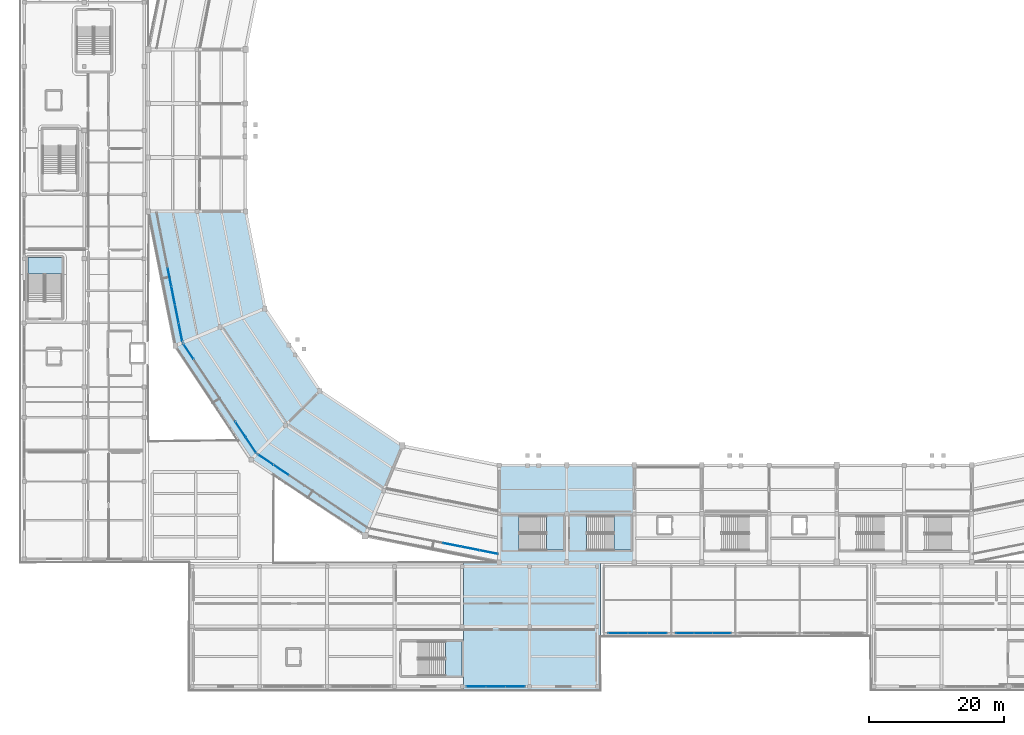
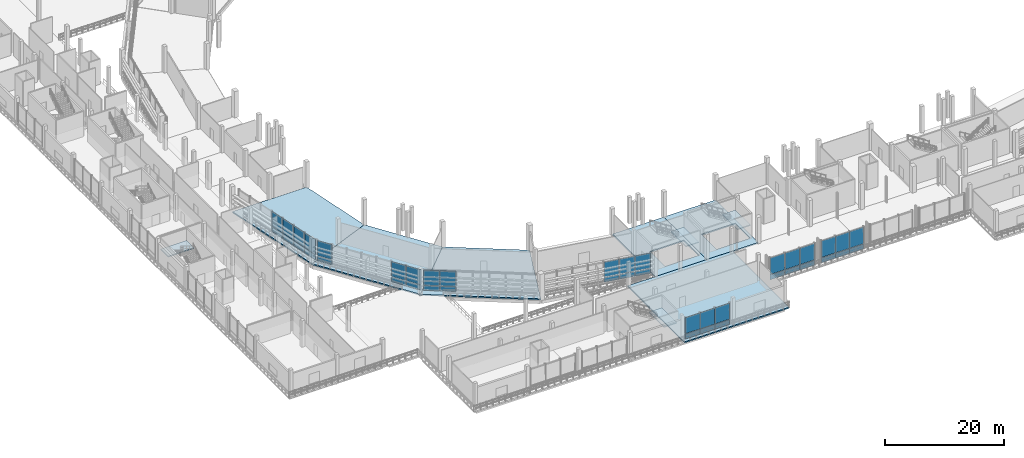
# One storey, part 60 of 111: 42 plates, 10 slabs, 11 elements without a shape of their own.
"""IFC4 building model written with IfcOpenShell, lengths in metres."""

from ifc_helpers import new_model, si_unit, direction, frame, origin, origin_2d, place, context, subcontext, project, spatial, polyline, rectangle, outline, extrude, material, layer, layer_set, type_object, element, aggregate, save


model = new_model("IFC4")

# Units and contexts
model_context = context("Model", 3, precision=1e-05, world=origin(), true_north=direction((0.0, 1.0)))
body_context = subcontext(model_context, "Body", "Model", "MODEL_VIEW")
ifc_project = project(units=[si_unit("LENGTHUNIT", "METRE"), si_unit("AREAUNIT", "SQUARE_METRE"), si_unit("VOLUMEUNIT", "CUBIC_METRE"), si_unit("PLANEANGLEUNIT", "RADIAN"), si_unit("MASSUNIT", "GRAM", prefix="KILO")], contexts=[model_context])

# Site, building, storey
site_placement = place(None, origin())
site = spatial("IfcSite", under=ifc_project, at=site_placement, CompositionType="ELEMENT")
building_placement = place(site_placement, origin())
building = spatial("IfcBuilding", under=site, at=building_placement, Name="Candeia Ridge Stadium", CompositionType="ELEMENT")
storey_placement = place(building_placement, frame((0.0, 0.0, 16.199951171875)))
storey = spatial("IfcBuildingStorey", under=building, at=storey_placement, Name="L03", CompositionType="ELEMENT", Elevation=16.199951171875)

# Stair, slab
ifc_material_1 = material(Name="Concrete C40/50", Category="concrete")
stair_type = type_object("IfcStairType", Name="Enclosed Core Half-Turn Stair 2450", PredefinedType="HALF_TURN_STAIR", material=ifc_material_1)
stair_1_placement = place(storey_placement, origin())
stair_1 = element("IfcStair", 1, at=stair_1_placement, inside=storey, type_object=stair_type, Name="L03 Enclosed exit stair ST02", PredefinedType="HALF_TURN_STAIR")
ifc_layer_1 = layer(ifc_material_1, 0.199951171875, Name="Concrete C40/50", Category="concrete")
ifc_layer_set_1 = layer_set([ifc_layer_1], Name="Concrete C40/50")
slab_type_1 = type_object("IfcSlabType", Name="Core Stair Landing Slab 200", PredefinedType="LANDING", material=ifc_layer_set_1)
slab_1_placement = place(storey_placement, frame((0.0, 0.0, 2.5)))
slab_1 = element("IfcSlab", 2, at=slab_1_placement, type_object=slab_type_1, Name="ST02 landing 1", PredefinedType="LANDING", context=body_context, shape_type="SweptSolid", body=[
    extrude(outline(polyline([(78.010009765625, 20.800048828125), (80.5, 20.800048828125), (80.5, 25.85009765625), (78.010009765625, 25.85009765625), (78.010009765625, 20.800048828125)])), origin(), (0.0, 0.0, 1.0), 0.199951171875),
])
aggregate(stair_1, [slab_1])

stair_2_placement = place(storey_placement, origin())
stair_2 = element("IfcStair", 3, at=stair_2_placement, inside=storey, type_object=stair_type, Name="L03 Enclosed exit stair ST05", PredefinedType="HALF_TURN_STAIR")
slab_2_placement = place(storey_placement, frame((0.0, 0.0, 2.5)))
slab_2 = element("IfcSlab", 4, at=slab_2_placement, type_object=slab_type_1, Name="ST05 landing 1", PredefinedType="LANDING", context=body_context, shape_type="SweptSolid", body=[
    extrude(outline(polyline([(6.199951171875, 61.7099609375), (6.199951171875, 64.199951171875), (1.14990234375, 64.199951171875), (1.14990234375, 61.7099609375), (6.199951171875, 61.7099609375)])), origin(), (0.0, 0.0, 1.0), 0.199951171875),
])
aggregate(stair_2, [slab_2])

stair_3_placement = place(storey_placement, origin())
stair_3 = element("IfcStair", 5, at=stair_3_placement, inside=storey, type_object=stair_type, Name="L03 Enclosed exit stair ST11", PredefinedType="HALF_TURN_STAIR")
slab_3_placement = place(storey_placement, frame((0.0, 0.0, 2.5)))
slab_3 = element("IfcSlab", 6, at=slab_3_placement, type_object=slab_type_1, Name="ST11 landing 1", PredefinedType="LANDING", context=body_context, shape_type="SweptSolid", body=[
    extrude(outline(polyline([(88.010009765625, 20.800048828125), (90.5, 20.800048828125), (90.5, 25.85009765625), (88.010009765625, 25.85009765625), (88.010009765625, 20.800048828125)])), origin(), (0.0, 0.0, 1.0), 0.199951171875),
])
aggregate(stair_3, [slab_3])

stair_4_placement = place(storey_placement, origin())
stair_4 = element("IfcStair", 7, at=stair_4_placement, inside=storey, type_object=stair_type, Name="L03 Enclosed exit stair ST13", PredefinedType="HALF_TURN_STAIR")
slab_4_placement = place(storey_placement, frame((0.0, 0.0, 2.5)))
slab_4 = element("IfcSlab", 8, at=slab_4_placement, type_object=slab_type_1, Name="ST13 landing 1", PredefinedType="LANDING", context=body_context, shape_type="SweptSolid", body=[
    extrude(outline(polyline([(63.010009765625, 2.199951171875), (65.5, 2.199951171875), (65.5, 7.25), (63.010009765625, 7.25), (63.010009765625, 2.199951171875)])), origin(), (0.0, 0.0, 1.0), 0.199951171875),
])
aggregate(stair_4, [slab_4])

# Curtain wall, plates
ifc_material_2 = material(Name="Aluminium Anodized Warm Bronze", Category="aluminium")
curtain_wall_type_1 = type_object("IfcCurtainWallType", Name="Cardinal Entrance Gate Tall Glazed Curtain Wall", PredefinedType="NOTDEFINED", material=ifc_material_2)
curtain_wall_1_placement = place(storey_placement, origin())
curtain_wall_1 = element("IfcCurtainWall", 9, at=curtain_wall_1_placement, inside=storey, type_object=curtain_wall_type_1, Name="Unitised curtain wall CW-WNG-L03-137", PredefinedType="NOTDEFINED")
ifc_material_3 = material(Name="Laminated Acoustic Glazing", Category="glass")
ifc_layer_2 = layer(ifc_material_3, 0.035888671875, Name="Laminated Acoustic Glazing", Category="glass")
ifc_layer_set_2 = layer_set([ifc_layer_2], Name="Laminated Acoustic Glazing")
plate_type_1 = type_object("IfcPlateType", Name="Gate Tall Laminated Glass Panel GP3", PredefinedType="CURTAIN_PANEL", material=ifc_layer_set_2)
plate_1_placement = place(storey_placement, frame((88.606689453125, 8.5, 1.139892578125), z_axis=(0.0, 0.0, 1.0), x_axis=(1.0, 0.0, 0.0)))
plate_1 = element("IfcPlate", 10, at=plate_1_placement, type_object=plate_type_1, Name="Curtain wall vision glass panel CW-WNG-L03-137-GP0", PredefinedType="CURTAIN_PANEL", context=body_context, shape_type="SweptSolid", body=[
    extrude(rectangle(XDim=2.8232421875, YDim=0.035888671875, at=origin_2d()), origin(), (0.0, 0.0, 1.0), 3.39208984375),
])
plate_2_placement = place(storey_placement, frame((91.5, 8.5, 1.139892578125), z_axis=(0.0, 0.0, 1.0), x_axis=(1.0, 0.0, 0.0)))
plate_2 = element("IfcPlate", 11, at=plate_2_placement, type_object=plate_type_1, Name="Curtain wall vision glass panel CW-WNG-L03-137-GP1", PredefinedType="CURTAIN_PANEL", context=body_context, shape_type="SweptSolid", body=[
    extrude(rectangle(XDim=2.8232421875, YDim=0.035888671875, at=origin_2d()), origin(), (0.0, 0.0, 1.0), 3.39208984375),
])
plate_3_placement = place(storey_placement, frame((94.393310546875, 8.5, 1.139892578125), z_axis=(0.0, 0.0, 1.0), x_axis=(1.0, 0.0, 0.0)))
plate_3 = element("IfcPlate", 12, at=plate_3_placement, type_object=plate_type_1, Name="Curtain wall vision glass panel CW-WNG-L03-137-GP2", PredefinedType="CURTAIN_PANEL", context=body_context, shape_type="SweptSolid", body=[
    extrude(rectangle(XDim=2.8232421875, YDim=0.035888671875, at=origin_2d()), origin(), (0.0, 0.0, 1.0), 3.39208984375),
])

curtain_wall_2_placement = place(storey_placement, origin())
curtain_wall_2 = element("IfcCurtainWall", 13, at=curtain_wall_2_placement, inside=storey, type_object=curtain_wall_type_1, Name="Unitised curtain wall CW-WNG-L03-138", PredefinedType="NOTDEFINED")
plate_4_placement = place(storey_placement, frame((98.523193359375, 8.5, 1.14013671875), z_axis=(0.0, 0.0, 1.0), x_axis=(1.0, 0.0, 0.0)))
plate_4 = element("IfcPlate", 14, at=plate_4_placement, type_object=plate_type_1, Name="Curtain wall vision glass panel CW-WNG-L03-138-GP0", PredefinedType="CURTAIN_PANEL", context=body_context, shape_type="SweptSolid", body=[
    extrude(rectangle(XDim=2.65673828125, YDim=0.035888671875, at=origin_2d()), origin(), (0.0, 0.0, 1.0), 3.402099609375),
])
plate_5_placement = place(storey_placement, frame((101.25, 8.5, 1.14013671875), z_axis=(0.0, 0.0, 1.0), x_axis=(1.0, 0.0, 0.0)))
plate_5 = element("IfcPlate", 15, at=plate_5_placement, type_object=plate_type_1, Name="Curtain wall vision glass panel CW-WNG-L03-138-GP1", PredefinedType="CURTAIN_PANEL", context=body_context, shape_type="SweptSolid", body=[
    extrude(rectangle(XDim=2.65673828125, YDim=0.035888671875, at=origin_2d()), origin(), (0.0, 0.0, 1.0), 3.402099609375),
])
plate_6_placement = place(storey_placement, frame((103.976806640625, 8.5, 1.14013671875), z_axis=(0.0, 0.0, 1.0), x_axis=(1.0, 0.0, 0.0)))
plate_6 = element("IfcPlate", 16, at=plate_6_placement, type_object=plate_type_1, Name="Curtain wall vision glass panel CW-WNG-L03-138-GP2", PredefinedType="CURTAIN_PANEL", context=body_context, shape_type="SweptSolid", body=[
    extrude(rectangle(XDim=2.65673828125, YDim=0.035888671875, at=origin_2d()), origin(), (0.0, 0.0, 1.0), 3.402099609375),
])

# Slabs
ifc_layer_3 = layer(ifc_material_1, 0.25, Name="Concrete C40/50", Category="concrete")
ifc_layer_set_3 = layer_set([ifc_layer_3], Name="Concrete C40/50")
slab_type_2 = type_object("IfcSlabType", Name="Hospitality & Museum Slab 250", PredefinedType="FLOOR", material=ifc_layer_set_3)
slab_5_placement = place(storey_placement, frame((0.0, 0.0, -0.25)))
element("IfcSlab", 17, at=slab_5_placement, inside=storey, type_object=slab_type_2, Name="Bowl concourse sector slab L03 bay 15 SLB-L03-0123", PredefinedType="FLOOR", context=body_context, shape_type="SweptSolid", body=[
    extrude(outline(polyline([(36.26220703125, 56.611083984375), (22.958251953125, 51.1005859375), (19.0, 71.0), (33.39990234375, 71.0), (36.26220703125, 56.611083984375)])), origin(), (0.0, 0.0, 1.0), 0.25),
])
slab_6_placement = place(storey_placement, frame((0.0, 0.0, -0.25)))
element("IfcSlab", 18, at=slab_6_placement, inside=storey, type_object=slab_type_2, Name="Bowl concourse sector slab L03 bay 16 SLB-L03-0124", PredefinedType="FLOOR", context=body_context, shape_type="SweptSolid", body=[
    extrude(outline(polyline([(44.412841796875, 44.412841796875), (34.23046875, 34.23046875), (22.958251953125, 51.1005859375), (36.26220703125, 56.611083984375), (44.412841796875, 44.412841796875)])), origin(), (0.0, 0.0, 1.0), 0.25),
])
slab_7_placement = place(storey_placement, frame((0.0, 0.0, -0.25)))
element("IfcSlab", 19, at=slab_7_placement, inside=storey, type_object=slab_type_2, Name="Bowl concourse sector slab L03 bay 17 SLB-L03-0125", PredefinedType="FLOOR", context=body_context, shape_type="SweptSolid", body=[
    extrude(outline(polyline([(56.611083984375, 36.26220703125), (51.1005859375, 22.958251953125), (34.23046875, 34.23046875), (44.412841796875, 44.412841796875), (56.611083984375, 36.26220703125)])), origin(), (0.0, 0.0, 1.0), 0.25),
])
slab_8_placement = place(storey_placement, frame((0.0, 0.0, -0.25)))
element("IfcSlab", 20, at=slab_8_placement, inside=storey, type_object=slab_type_2, Name="Bowl concourse sector slab L03 bay 19 SLB-L03-0127", PredefinedType="FLOOR", context=body_context, shape_type="SweptSolid", body=[
    extrude(outline(polyline([(81.0, 33.39990234375), (81.0, 19.0), (71.0400390625, 19.0), (71.0400390625, 33.39990234375), (81.0, 33.39990234375)]), holes=[polyline([(73.95068359375, 20.800048828125), (80.5, 20.800048828125), (80.5, 25.85009765625), (73.95068359375, 25.85009765625), (73.95068359375, 20.800048828125)])]), origin(), (0.0, 0.0, 1.0), 0.25),
])
slab_9_placement = place(storey_placement, frame((0.0, 0.0, -0.25)))
element("IfcSlab", 21, at=slab_9_placement, inside=storey, type_object=slab_type_2, Name="Bowl concourse sector slab L03 bay 20 SLB-L03-0128", PredefinedType="FLOOR", context=body_context, shape_type="SweptSolid", body=[
    extrude(outline(polyline([(91.0, 33.39990234375), (91.0, 19.0), (81.0, 19.0), (81.0, 33.39990234375), (91.0, 33.39990234375)]), holes=[polyline([(83.95068359375, 20.800048828125), (90.5, 20.800048828125), (90.5, 25.85009765625), (83.95068359375, 25.85009765625), (83.95068359375, 20.800048828125)])]), origin(), (0.0, 0.0, 1.0), 0.25),
])
slab_10_placement = place(storey_placement, frame((0.0, 0.0, -0.25)))
element("IfcSlab", 22, at=slab_10_placement, inside=storey, type_object=slab_type_2, Name="Wing floor slab sw_s SLB-L03-0284", PredefinedType="FLOOR", context=body_context, shape_type="SweptSolid", body=[
    extrude(outline(polyline([(65.666748046875, 0.0), (65.666748046875, 19.0), (86.0, 19.0), (86.0, 0.0), (65.666748046875, 0.0)])), origin(), (0.0, 0.0, 1.0), 0.25),
])

# Curtain wall, plates
curtain_wall_type_2 = type_object("IfcCurtainWallType", Name="Concourse Recessed Unitised Curtain Wall", PredefinedType="NOTDEFINED", material=ifc_material_2)
curtain_wall_3_placement = place(storey_placement, origin())
curtain_wall_3 = element("IfcCurtainWall", 23, at=curtain_wall_3_placement, inside=storey, type_object=curtain_wall_type_2, Name="Unitised curtain wall CW-BWL-L03-17", PredefinedType="NOTDEFINED")
ifc_material_4 = material(Name="Aluminium Insulated Spandrel", Category="aluminium")
ifc_layer_4 = layer(ifc_material_4, 0.06494140625, Name="Aluminium Insulated Spandrel", Category="aluminium")
ifc_layer_set_4 = layer_set([ifc_layer_4], Name="Aluminium Insulated Spandrel")
plate_type_2 = type_object("IfcPlateType", Name="Insulated Bronze Spandrel Panel SP1", PredefinedType="CURTAIN_PANEL", material=ifc_layer_set_4)
plate_7_placement = place(storey_placement, frame((64.006591796875, 21.591064453125, 0.0400390625), z_axis=(0.0, 0.0, 1.0), x_axis=(0.980785280696, -0.195090320544, 0.0)))
plate_7 = element("IfcPlate", 24, at=plate_7_placement, type_object=plate_type_2, Name="Curtain wall spandrel panel CW-BWL-L03-17-SP4", PredefinedType="CURTAIN_PANEL", context=body_context, shape_type="SweptSolid", body=[
    extrude(rectangle(XDim=2.710205078125, YDim=0.06494140625, at=origin_2d()), origin(), (0.0, 0.0, 1.0), 0.97119140625),
])
plate_8_placement = place(storey_placement, frame((66.7333984375, 21.048583984375, 0.0400390625), z_axis=(0.0, 0.0, 1.0), x_axis=(0.980785280696, -0.195090320544, 0.0)))
plate_8 = element("IfcPlate", 25, at=plate_8_placement, type_object=plate_type_2, Name="Curtain wall spandrel panel CW-BWL-L03-17-SP5", PredefinedType="CURTAIN_PANEL", context=body_context, shape_type="SweptSolid", body=[
    extrude(rectangle(XDim=2.710205078125, YDim=0.06494140625, at=origin_2d()), origin(), (0.0, 0.0, 1.0), 0.97119140625),
])
plate_9_placement = place(storey_placement, frame((69.460205078125, 20.50634765625, 0.0400390625), z_axis=(0.0, 0.0, 1.0), x_axis=(0.980785280696, -0.195090320544, 0.0)))
plate_9 = element("IfcPlate", 26, at=plate_9_placement, type_object=plate_type_2, Name="Curtain wall spandrel panel CW-BWL-L03-17-SP6", PredefinedType="CURTAIN_PANEL", context=body_context, shape_type="SweptSolid", body=[
    extrude(rectangle(XDim=2.710205078125, YDim=0.06494140625, at=origin_2d()), origin(), (0.0, 0.0, 1.0), 0.97119140625),
])

curtain_wall_4_placement = place(storey_placement, origin())
curtain_wall_4 = element("IfcCurtainWall", 27, at=curtain_wall_4_placement, inside=storey, type_object=curtain_wall_type_2, Name="Unitised curtain wall CW-BWL-L03-14", PredefinedType="NOTDEFINED")
ifc_layer_5 = layer(ifc_material_4, 0.06494140625, Name="Aluminium Insulated Spandrel", Category="aluminium")
ifc_layer_set_5 = layer_set([ifc_layer_5], Name="Aluminium Insulated Spandrel")
plate_type_3 = type_object("IfcPlateType", Name="Insulated Bronze Spandrel Panel SP2", PredefinedType="CURTAIN_PANEL", material=ifc_layer_set_5)
plate_10_placement = place(storey_placement, frame((22.13330078125, 61.27978515625, 0.0400390625), z_axis=(0.0, 0.0, 1.0), x_axis=(0.195090320544, -0.980785280696, 0.0)))
plate_10 = element("IfcPlate", 28, at=plate_10_placement, type_object=plate_type_3, Name="Curtain wall spandrel panel CW-BWL-L03-14-SP3", PredefinedType="CURTAIN_PANEL", context=body_context, shape_type="SweptSolid", body=[
    extrude(rectangle(XDim=2.710205078125, YDim=0.06494140625, at=origin_2d()), origin(), (0.0, 0.0, 1.0), 0.97119140625),
])
plate_11_placement = place(storey_placement, frame((22.67578125, 58.552978515625, 0.0400390625), z_axis=(0.0, 0.0, 1.0), x_axis=(0.195090320544, -0.980785280696, 0.0)))
plate_11 = element("IfcPlate", 29, at=plate_11_placement, type_object=plate_type_3, Name="Curtain wall spandrel panel CW-BWL-L03-14-SP4", PredefinedType="CURTAIN_PANEL", context=body_context, shape_type="SweptSolid", body=[
    extrude(rectangle(XDim=2.710205078125, YDim=0.06494140625, at=origin_2d()), origin(), (0.0, 0.0, 1.0), 0.97119140625),
])
plate_12_placement = place(storey_placement, frame((23.21826171875, 55.826416015625, 0.0400390625), z_axis=(0.0, 0.0, 1.0), x_axis=(0.195090320544, -0.980785280696, 0.0)))
plate_12 = element("IfcPlate", 30, at=plate_12_placement, type_object=plate_type_3, Name="Curtain wall spandrel panel CW-BWL-L03-14-SP5", PredefinedType="CURTAIN_PANEL", context=body_context, shape_type="SweptSolid", body=[
    extrude(rectangle(XDim=2.710205078125, YDim=0.06494140625, at=origin_2d()), origin(), (0.0, 0.0, 1.0), 0.97119140625),
])
plate_13_placement = place(storey_placement, frame((23.760498046875, 53.099609375, 0.0400390625), z_axis=(0.0, 0.0, 1.0), x_axis=(0.195090320544, -0.980785280696, 0.0)))
plate_13 = element("IfcPlate", 31, at=plate_13_placement, type_object=plate_type_3, Name="Curtain wall spandrel panel CW-BWL-L03-14-SP6", PredefinedType="CURTAIN_PANEL", context=body_context, shape_type="SweptSolid", body=[
    extrude(rectangle(XDim=2.710205078125, YDim=0.06494140625, at=origin_2d()), origin(), (0.0, 0.0, 1.0), 0.97119140625),
])

curtain_wall_5_placement = place(storey_placement, origin())
curtain_wall_5 = element("IfcCurtainWall", 32, at=curtain_wall_5_placement, inside=storey, type_object=curtain_wall_type_2, Name="Unitised curtain wall CW-BWL-L03-15", PredefinedType="NOTDEFINED")
ifc_layer_6 = layer(ifc_material_4, 0.06494140625, Name="Aluminium Insulated Spandrel", Category="aluminium")
ifc_layer_set_6 = layer_set([ifc_layer_6], Name="Aluminium Insulated Spandrel")
plate_type_4 = type_object("IfcPlateType", Name="Insulated Bronze Spandrel Panel SP4", PredefinedType="CURTAIN_PANEL", material=ifc_layer_set_6)
plate_14_placement = place(storey_placement, frame((24.939208984375, 50.254150390625, 0.0400390625), z_axis=(0.0, 0.0, 1.0), x_axis=(0.555571447533, -0.831468800789, 0.0)))
plate_14 = element("IfcPlate", 33, at=plate_14_placement, type_object=plate_type_4, Name="Curtain wall spandrel panel CW-BWL-L03-15-SP0", PredefinedType="CURTAIN_PANEL", context=body_context, shape_type="SweptSolid", body=[
    extrude(rectangle(XDim=2.710205078125, YDim=0.06494140625, at=origin_2d()), origin(), (0.0, 0.0, 1.0), 0.97119140625),
])
plate_15_placement = place(storey_placement, frame((32.662109375, 38.696044921875, 0.0400390625), z_axis=(0.0, 0.0, 1.0), x_axis=(0.555571447533, -0.831468800789, 0.0)))
plate_15 = element("IfcPlate", 34, at=plate_15_placement, type_object=plate_type_4, Name="Curtain wall spandrel panel CW-BWL-L03-15-SP5", PredefinedType="CURTAIN_PANEL", context=body_context, shape_type="SweptSolid", body=[
    extrude(rectangle(XDim=2.710205078125, YDim=0.06494140625, at=origin_2d()), origin(), (0.0, 0.0, 1.0), 0.97119140625),
])
plate_16_placement = place(storey_placement, frame((34.206787109375, 36.384521484375, 0.0400390625), z_axis=(0.0, 0.0, 1.0), x_axis=(0.555571447533, -0.831468800789, 0.0)))
plate_16 = element("IfcPlate", 35, at=plate_16_placement, type_object=plate_type_4, Name="Curtain wall spandrel panel CW-BWL-L03-15-SP6", PredefinedType="CURTAIN_PANEL", context=body_context, shape_type="SweptSolid", body=[
    extrude(rectangle(XDim=2.710205078125, YDim=0.06494140625, at=origin_2d()), origin(), (0.0, 0.0, 1.0), 0.97119140625),
])

curtain_wall_6_placement = place(storey_placement, origin())
curtain_wall_6 = element("IfcCurtainWall", 36, at=curtain_wall_6_placement, inside=storey, type_object=curtain_wall_type_2, Name="Unitised curtain wall CW-BWL-L03-16", PredefinedType="NOTDEFINED")
ifc_layer_7 = layer(ifc_material_4, 0.06494140625, Name="Aluminium Insulated Spandrel", Category="aluminium")
ifc_layer_set_7 = layer_set([ifc_layer_7], Name="Aluminium Insulated Spandrel")
plate_type_5 = type_object("IfcPlateType", Name="Insulated Bronze Spandrel Panel SP5", PredefinedType="CURTAIN_PANEL", material=ifc_layer_set_7)
plate_17_placement = place(storey_placement, frame((36.384521484375, 34.206787109375, 0.0400390625), z_axis=(0.0, 0.0, 1.0), x_axis=(0.831468800789, -0.555571447533, 0.0)))
plate_17 = element("IfcPlate", 37, at=plate_17_placement, type_object=plate_type_5, Name="Curtain wall spandrel panel CW-BWL-L03-16-SP0", PredefinedType="CURTAIN_PANEL", context=body_context, shape_type="SweptSolid", body=[
    extrude(rectangle(XDim=2.710205078125, YDim=0.06494140625, at=origin_2d()), origin(), (0.0, 0.0, 1.0), 0.981201171875),
])
plate_18_placement = place(storey_placement, frame((38.696044921875, 32.662109375, 0.0400390625), z_axis=(0.0, 0.0, 1.0), x_axis=(0.831468800789, -0.555571447533, 0.0)))
plate_18 = element("IfcPlate", 38, at=plate_18_placement, type_object=plate_type_5, Name="Curtain wall spandrel panel CW-BWL-L03-16-SP1", PredefinedType="CURTAIN_PANEL", context=body_context, shape_type="SweptSolid", body=[
    extrude(rectangle(XDim=2.710205078125, YDim=0.06494140625, at=origin_2d()), origin(), (0.0, 0.0, 1.0), 0.981201171875),
])

curtain_wall_type_3 = type_object("IfcCurtainWallType", Name="Museum & Boulevard Showcase Curtain Wall", PredefinedType="NOTDEFINED", material=ifc_material_2)
curtain_wall_7_placement = place(storey_placement, origin())
curtain_wall_7 = element("IfcCurtainWall", 39, at=curtain_wall_7_placement, inside=storey, type_object=curtain_wall_type_3, Name="Unitised curtain wall CW-WNG-L03-133", PredefinedType="NOTDEFINED")
ifc_layer_8 = layer(ifc_material_4, 0.06494140625, Name="Aluminium Insulated Spandrel", Category="aluminium")
ifc_layer_set_8 = layer_set([ifc_layer_8], Name="Aluminium Insulated Spandrel")
plate_type_6 = type_object("IfcPlateType", Name="Insulated Cedar-Tone Spandrel Panel SP3", PredefinedType="CURTAIN_PANEL", material=ifc_layer_set_8)
plate_19_placement = place(storey_placement, frame((67.606689453125, 0.60009765625, 0.0400390625), z_axis=(0.0, 0.0, 1.0), x_axis=(1.0, 0.0, 0.0)))
plate_19 = element("IfcPlate", 40, at=plate_19_placement, type_object=plate_type_6, Name="Curtain wall spandrel panel CW-WNG-L03-133-SP0", PredefinedType="CURTAIN_PANEL", context=body_context, shape_type="SweptSolid", body=[
    extrude(rectangle(XDim=2.8232421875, YDim=0.06494140625, at=origin_2d()), origin(), (0.0, 0.0, 1.0), 1.02001953125),
])
plate_20_placement = place(storey_placement, frame((70.5, 0.60009765625, 0.0400390625), z_axis=(0.0, 0.0, 1.0), x_axis=(1.0, 0.0, 0.0)))
plate_20 = element("IfcPlate", 41, at=plate_20_placement, type_object=plate_type_6, Name="Curtain wall spandrel panel CW-WNG-L03-133-SP1", PredefinedType="CURTAIN_PANEL", context=body_context, shape_type="SweptSolid", body=[
    extrude(rectangle(XDim=2.8232421875, YDim=0.06494140625, at=origin_2d()), origin(), (0.0, 0.0, 1.0), 1.02001953125),
])
plate_21_placement = place(storey_placement, frame((73.393310546875, 0.60009765625, 0.0400390625), z_axis=(0.0, 0.0, 1.0), x_axis=(1.0, 0.0, 0.0)))
plate_21 = element("IfcPlate", 42, at=plate_21_placement, type_object=plate_type_6, Name="Curtain wall spandrel panel CW-WNG-L03-133-SP2", PredefinedType="CURTAIN_PANEL", context=body_context, shape_type="SweptSolid", body=[
    extrude(rectangle(XDim=2.8232421875, YDim=0.06494140625, at=origin_2d()), origin(), (0.0, 0.0, 1.0), 1.02001953125),
])

# Plate
plate_22_placement = place(storey_placement, frame((88.606689453125, 8.5, 0.0400390625), z_axis=(0.0, 0.0, 1.0), x_axis=(1.0, 0.0, 0.0)))
plate_22 = element("IfcPlate", 43, at=plate_22_placement, type_object=plate_type_6, Name="Curtain wall spandrel panel CW-WNG-L03-137-SP0", PredefinedType="CURTAIN_PANEL", context=body_context, shape_type="SweptSolid", body=[
    extrude(rectangle(XDim=2.8232421875, YDim=0.06494140625, at=origin_2d()), origin(), (0.0, 0.0, 1.0), 1.02001953125),
])

plate_23_placement = place(storey_placement, frame((91.5, 8.5, 0.0400390625), z_axis=(0.0, 0.0, 1.0), x_axis=(1.0, 0.0, 0.0)))
plate_23 = element("IfcPlate", 44, at=plate_23_placement, type_object=plate_type_6, Name="Curtain wall spandrel panel CW-WNG-L03-137-SP1", PredefinedType="CURTAIN_PANEL", context=body_context, shape_type="SweptSolid", body=[
    extrude(rectangle(XDim=2.8232421875, YDim=0.06494140625, at=origin_2d()), origin(), (0.0, 0.0, 1.0), 1.02001953125),
])

plate_24_placement = place(storey_placement, frame((94.393310546875, 8.5, 0.0400390625), z_axis=(0.0, 0.0, 1.0), x_axis=(1.0, 0.0, 0.0)))
plate_24 = element("IfcPlate", 45, at=plate_24_placement, type_object=plate_type_6, Name="Curtain wall spandrel panel CW-WNG-L03-137-SP2", PredefinedType="CURTAIN_PANEL", context=body_context, shape_type="SweptSolid", body=[
    extrude(rectangle(XDim=2.8232421875, YDim=0.06494140625, at=origin_2d()), origin(), (0.0, 0.0, 1.0), 1.02001953125),
])

aggregate(curtain_wall_1, [plate_22, plate_1, plate_23, plate_2, plate_24, plate_3])

plate_25_placement = place(storey_placement, frame((98.523193359375, 8.5, 0.0400390625), z_axis=(0.0, 0.0, 1.0), x_axis=(1.0, 0.0, 0.0)))
plate_25 = element("IfcPlate", 46, at=plate_25_placement, type_object=plate_type_6, Name="Curtain wall spandrel panel CW-WNG-L03-138-SP0", PredefinedType="CURTAIN_PANEL", context=body_context, shape_type="SweptSolid", body=[
    extrude(rectangle(XDim=2.65673828125, YDim=0.06494140625, at=origin_2d()), origin(), (0.0, 0.0, 1.0), 1.02001953125),
])

plate_26_placement = place(storey_placement, frame((101.25, 8.5, 0.0400390625), z_axis=(0.0, 0.0, 1.0), x_axis=(1.0, 0.0, 0.0)))
plate_26 = element("IfcPlate", 47, at=plate_26_placement, type_object=plate_type_6, Name="Curtain wall spandrel panel CW-WNG-L03-138-SP1", PredefinedType="CURTAIN_PANEL", context=body_context, shape_type="SweptSolid", body=[
    extrude(rectangle(XDim=2.65673828125, YDim=0.06494140625, at=origin_2d()), origin(), (0.0, 0.0, 1.0), 1.02001953125),
])

plate_27_placement = place(storey_placement, frame((103.976806640625, 8.5, 0.0400390625), z_axis=(0.0, 0.0, 1.0), x_axis=(1.0, 0.0, 0.0)))
plate_27 = element("IfcPlate", 48, at=plate_27_placement, type_object=plate_type_6, Name="Curtain wall spandrel panel CW-WNG-L03-138-SP2", PredefinedType="CURTAIN_PANEL", context=body_context, shape_type="SweptSolid", body=[
    extrude(rectangle(XDim=2.65673828125, YDim=0.06494140625, at=origin_2d()), origin(), (0.0, 0.0, 1.0), 1.02001953125),
])

aggregate(curtain_wall_2, [plate_25, plate_4, plate_26, plate_5, plate_27, plate_6])

ifc_material_5 = material(Name="Tempered Low-E Double Glazing", Category="glass")
ifc_layer_9 = layer(ifc_material_5, 0.035888671875, Name="Tempered Low-E Double Glazing", Category="glass")
ifc_layer_set_9 = layer_set([ifc_layer_9], Name="Tempered Low-E Double Glazing")
plate_type_7 = type_object("IfcPlateType", Name="Pavilion Panorama Glass Panel GP4", PredefinedType="CURTAIN_PANEL", material=ifc_layer_set_9)
plate_28_placement = place(storey_placement, frame((67.606689453125, 0.60009765625, 1.14013671875), z_axis=(0.0, 0.0, 1.0), x_axis=(1.0, 0.0, 0.0)))
plate_28 = element("IfcPlate", 49, at=plate_28_placement, type_object=plate_type_7, Name="Curtain wall vision glass panel CW-WNG-L03-133-GP0", PredefinedType="CURTAIN_PANEL", context=body_context, shape_type="SweptSolid", body=[
    extrude(rectangle(XDim=2.8232421875, YDim=0.035888671875, at=origin_2d()), origin(), (0.0, 0.0, 1.0), 3.27490234375),
])

plate_29_placement = place(storey_placement, frame((70.5, 0.60009765625, 1.14013671875), z_axis=(0.0, 0.0, 1.0), x_axis=(1.0, 0.0, 0.0)))
plate_29 = element("IfcPlate", 50, at=plate_29_placement, type_object=plate_type_7, Name="Curtain wall vision glass panel CW-WNG-L03-133-GP1", PredefinedType="CURTAIN_PANEL", context=body_context, shape_type="SweptSolid", body=[
    extrude(rectangle(XDim=2.8232421875, YDim=0.035888671875, at=origin_2d()), origin(), (0.0, 0.0, 1.0), 3.27490234375),
])

plate_30_placement = place(storey_placement, frame((73.393310546875, 0.60009765625, 1.14013671875), z_axis=(0.0, 0.0, 1.0), x_axis=(1.0, 0.0, 0.0)))
plate_30 = element("IfcPlate", 51, at=plate_30_placement, type_object=plate_type_7, Name="Curtain wall vision glass panel CW-WNG-L03-133-GP2", PredefinedType="CURTAIN_PANEL", context=body_context, shape_type="SweptSolid", body=[
    extrude(rectangle(XDim=2.8232421875, YDim=0.035888671875, at=origin_2d()), origin(), (0.0, 0.0, 1.0), 3.27490234375),
])

aggregate(curtain_wall_7, [plate_19, plate_28, plate_20, plate_29, plate_21, plate_30])

ifc_layer_10 = layer(ifc_material_5, 0.035888671875, Name="Tempered Low-E Double Glazing", Category="glass")
ifc_layer_set_10 = layer_set([ifc_layer_10], Name="Tempered Low-E Double Glazing")
plate_type_8 = type_object("IfcPlateType", Name="Solar Control Vision Glass Panel GP1", PredefinedType="CURTAIN_PANEL", material=ifc_layer_set_10)
plate_31_placement = place(storey_placement, frame((24.939208984375, 50.254150390625, 1.09130859375), z_axis=(0.0, 0.0, 1.0), x_axis=(0.555571447533, -0.831468800789, 0.0)))
plate_31 = element("IfcPlate", 52, at=plate_31_placement, type_object=plate_type_8, Name="Curtain wall vision glass panel CW-BWL-L03-15-GP0", PredefinedType="CURTAIN_PANEL", context=body_context, shape_type="SweptSolid", body=[
    extrude(rectangle(XDim=2.710205078125, YDim=0.035888671875, at=origin_2d()), origin(), (0.0, 0.0, 1.0), 3.07373046875),
])

plate_32_placement = place(storey_placement, frame((32.662109375, 38.696044921875, 1.09130859375), z_axis=(0.0, 0.0, 1.0), x_axis=(0.555571447533, -0.831468800789, 0.0)))
plate_32 = element("IfcPlate", 53, at=plate_32_placement, type_object=plate_type_8, Name="Curtain wall vision glass panel CW-BWL-L03-15-GP5", PredefinedType="CURTAIN_PANEL", context=body_context, shape_type="SweptSolid", body=[
    extrude(rectangle(XDim=2.710205078125, YDim=0.035888671875, at=origin_2d()), origin(), (0.0, 0.0, 1.0), 3.07373046875),
])

plate_33_placement = place(storey_placement, frame((34.206787109375, 36.384521484375, 1.09130859375), z_axis=(0.0, 0.0, 1.0), x_axis=(0.555571447533, -0.831468800789, 0.0)))
plate_33 = element("IfcPlate", 54, at=plate_33_placement, type_object=plate_type_8, Name="Curtain wall vision glass panel CW-BWL-L03-15-GP6", PredefinedType="CURTAIN_PANEL", context=body_context, shape_type="SweptSolid", body=[
    extrude(rectangle(XDim=2.710205078125, YDim=0.035888671875, at=origin_2d()), origin(), (0.0, 0.0, 1.0), 3.07373046875),
])

aggregate(curtain_wall_5, [plate_14, plate_31, plate_15, plate_32, plate_16, plate_33])

ifc_layer_11 = layer(ifc_material_5, 0.035888671875, Name="Tempered Low-E Double Glazing", Category="glass")
ifc_layer_set_11 = layer_set([ifc_layer_11], Name="Tempered Low-E Double Glazing")
plate_type_9 = type_object("IfcPlateType", Name="Solar Control Vision Glass Panel GP2", PredefinedType="CURTAIN_PANEL", material=ifc_layer_set_11)
plate_34_placement = place(storey_placement, frame((36.384521484375, 34.206787109375, 1.10107421875), z_axis=(0.0, 0.0, 1.0), x_axis=(0.831468800789, -0.555571447533, 0.0)))
plate_34 = element("IfcPlate", 55, at=plate_34_placement, type_object=plate_type_9, Name="Curtain wall vision glass panel CW-BWL-L03-16-GP0", PredefinedType="CURTAIN_PANEL", context=body_context, shape_type="SweptSolid", body=[
    extrude(rectangle(XDim=2.710205078125, YDim=0.035888671875, at=origin_2d()), origin(), (0.0, 0.0, 1.0), 3.103759765625),
])

plate_35_placement = place(storey_placement, frame((38.696044921875, 32.662109375, 1.10107421875), z_axis=(0.0, 0.0, 1.0), x_axis=(0.831468800789, -0.555571447533, 0.0)))
plate_35 = element("IfcPlate", 56, at=plate_35_placement, type_object=plate_type_9, Name="Curtain wall vision glass panel CW-BWL-L03-16-GP1", PredefinedType="CURTAIN_PANEL", context=body_context, shape_type="SweptSolid", body=[
    extrude(rectangle(XDim=2.710205078125, YDim=0.035888671875, at=origin_2d()), origin(), (0.0, 0.0, 1.0), 3.103759765625),
])

aggregate(curtain_wall_6, [plate_17, plate_34, plate_18, plate_35])

ifc_layer_12 = layer(ifc_material_5, 0.035888671875, Name="Tempered Low-E Double Glazing", Category="glass")
ifc_layer_set_12 = layer_set([ifc_layer_12], Name="Tempered Low-E Double Glazing")
plate_type_10 = type_object("IfcPlateType", Name="Solar Control Vision Glass Panel GP5", PredefinedType="CURTAIN_PANEL", material=ifc_layer_set_12)
plate_36_placement = place(storey_placement, frame((64.006591796875, 21.591064453125, 1.09130859375), z_axis=(0.0, 0.0, 1.0), x_axis=(0.980785280696, -0.195090320544, 0.0)))
plate_36 = element("IfcPlate", 57, at=plate_36_placement, type_object=plate_type_10, Name="Curtain wall vision glass panel CW-BWL-L03-17-GP4", PredefinedType="CURTAIN_PANEL", context=body_context, shape_type="SweptSolid", body=[
    extrude(rectangle(XDim=2.710205078125, YDim=0.035888671875, at=origin_2d()), origin(), (0.0, 0.0, 1.0), 3.07373046875),
])

plate_37_placement = place(storey_placement, frame((66.7333984375, 21.048583984375, 1.09130859375), z_axis=(0.0, 0.0, 1.0), x_axis=(0.980785280696, -0.195090320544, 0.0)))
plate_37 = element("IfcPlate", 58, at=plate_37_placement, type_object=plate_type_10, Name="Curtain wall vision glass panel CW-BWL-L03-17-GP5", PredefinedType="CURTAIN_PANEL", context=body_context, shape_type="SweptSolid", body=[
    extrude(rectangle(XDim=2.710205078125, YDim=0.035888671875, at=origin_2d()), origin(), (0.0, 0.0, 1.0), 3.07373046875),
])

plate_38_placement = place(storey_placement, frame((69.460205078125, 20.50634765625, 1.09130859375), z_axis=(0.0, 0.0, 1.0), x_axis=(0.980785280696, -0.195090320544, 0.0)))
plate_38 = element("IfcPlate", 59, at=plate_38_placement, type_object=plate_type_10, Name="Curtain wall vision glass panel CW-BWL-L03-17-GP6", PredefinedType="CURTAIN_PANEL", context=body_context, shape_type="SweptSolid", body=[
    extrude(rectangle(XDim=2.710205078125, YDim=0.035888671875, at=origin_2d()), origin(), (0.0, 0.0, 1.0), 3.07373046875),
])

aggregate(curtain_wall_3, [plate_7, plate_36, plate_8, plate_37, plate_9, plate_38])

ifc_layer_13 = layer(ifc_material_5, 0.035888671875, Name="Tempered Low-E Double Glazing", Category="glass")
ifc_layer_set_13 = layer_set([ifc_layer_13], Name="Tempered Low-E Double Glazing")
plate_type_11 = type_object("IfcPlateType", Name="Solar Control Vision Glass Panel GP8", PredefinedType="CURTAIN_PANEL", material=ifc_layer_set_13)
plate_39_placement = place(storey_placement, frame((22.13330078125, 61.27978515625, 1.09130859375), z_axis=(0.0, 0.0, 1.0), x_axis=(0.195090320544, -0.980785280696, 0.0)))
plate_39 = element("IfcPlate", 60, at=plate_39_placement, type_object=plate_type_11, Name="Curtain wall vision glass panel CW-BWL-L03-14-GP3", PredefinedType="CURTAIN_PANEL", context=body_context, shape_type="SweptSolid", body=[
    extrude(rectangle(XDim=2.710205078125, YDim=0.035888671875, at=origin_2d()), origin(), (0.0, 0.0, 1.0), 3.07373046875),
])

plate_40_placement = place(storey_placement, frame((22.67578125, 58.552978515625, 1.09130859375), z_axis=(0.0, 0.0, 1.0), x_axis=(0.195090320544, -0.980785280696, 0.0)))
plate_40 = element("IfcPlate", 61, at=plate_40_placement, type_object=plate_type_11, Name="Curtain wall vision glass panel CW-BWL-L03-14-GP4", PredefinedType="CURTAIN_PANEL", context=body_context, shape_type="SweptSolid", body=[
    extrude(rectangle(XDim=2.710205078125, YDim=0.035888671875, at=origin_2d()), origin(), (0.0, 0.0, 1.0), 3.07373046875),
])

plate_41_placement = place(storey_placement, frame((23.21826171875, 55.826416015625, 1.09130859375), z_axis=(0.0, 0.0, 1.0), x_axis=(0.195090320544, -0.980785280696, 0.0)))
plate_41 = element("IfcPlate", 62, at=plate_41_placement, type_object=plate_type_11, Name="Curtain wall vision glass panel CW-BWL-L03-14-GP5", PredefinedType="CURTAIN_PANEL", context=body_context, shape_type="SweptSolid", body=[
    extrude(rectangle(XDim=2.710205078125, YDim=0.035888671875, at=origin_2d()), origin(), (0.0, 0.0, 1.0), 3.07373046875),
])

plate_42_placement = place(storey_placement, frame((23.760498046875, 53.099609375, 1.09130859375), z_axis=(0.0, 0.0, 1.0), x_axis=(0.195090320544, -0.980785280696, 0.0)))
plate_42 = element("IfcPlate", 63, at=plate_42_placement, type_object=plate_type_11, Name="Curtain wall vision glass panel CW-BWL-L03-14-GP6", PredefinedType="CURTAIN_PANEL", context=body_context, shape_type="SweptSolid", body=[
    extrude(rectangle(XDim=2.710205078125, YDim=0.035888671875, at=origin_2d()), origin(), (0.0, 0.0, 1.0), 3.07373046875),
])

aggregate(curtain_wall_4, [plate_10, plate_39, plate_11, plate_40, plate_12, plate_41, plate_13, plate_42])

save(model, "model.ifc")
